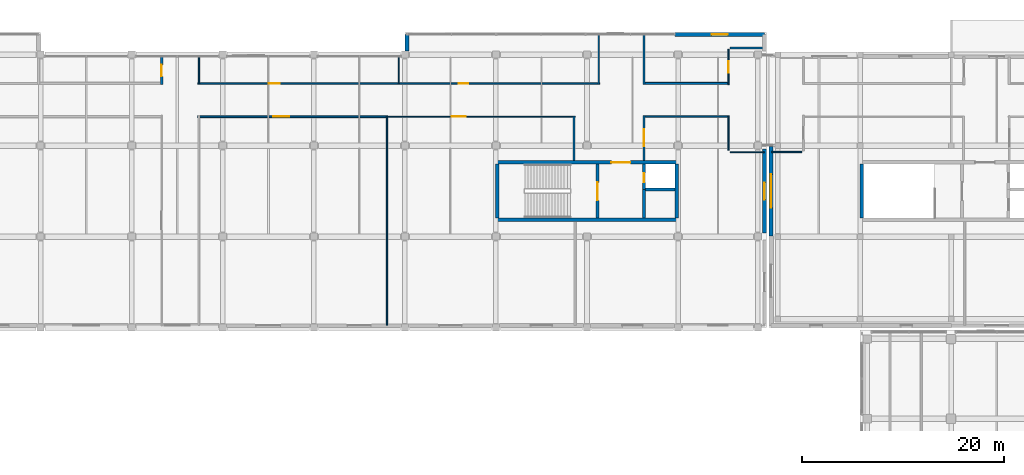
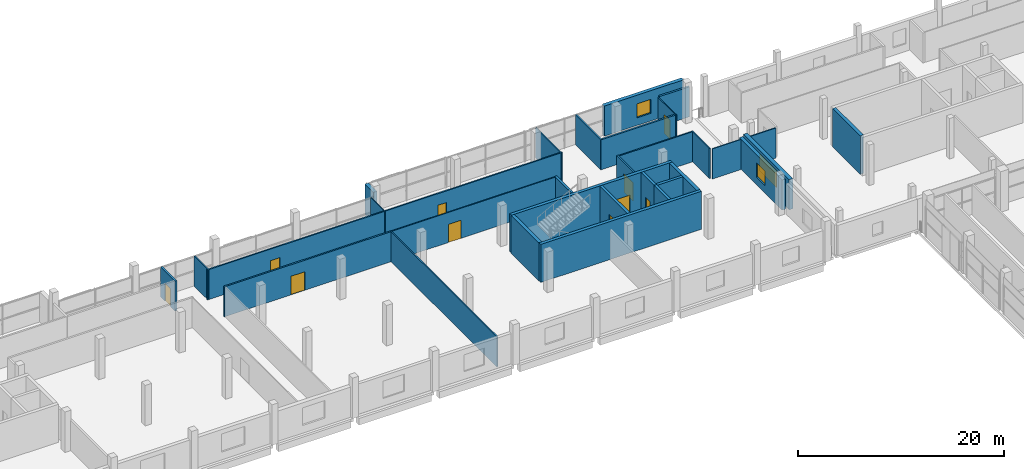
# One storey, part 84 of 111: 32 walls, 10 doors, 3 windows, 13 openings.
"""IFC4 building model written with IfcOpenShell, lengths in metres."""

from ifc_helpers import new_model, si_unit, direction, frame, frame_2d, origin, place, context, subcontext, project, spatial, rectangle, extrude, material, layer, layer_set, type_object, element, fill, save


model = new_model("IFC4")

# Units and contexts
model_context = context("Model", 3, precision=1e-05, world=origin(), true_north=direction((0.0, 1.0)))
body_context = subcontext(model_context, "Body", "Model", "MODEL_VIEW")
ifc_project = project(units=[si_unit("LENGTHUNIT", "METRE"), si_unit("AREAUNIT", "SQUARE_METRE"), si_unit("VOLUMEUNIT", "CUBIC_METRE"), si_unit("PLANEANGLEUNIT", "RADIAN"), si_unit("MASSUNIT", "GRAM", prefix="KILO"), si_unit("THERMODYNAMICTEMPERATUREUNIT", "KELVIN"), si_unit("POWERUNIT", "WATT")], contexts=[model_context])

# Site, building, storey
site_placement = place(None, origin())
site = spatial("IfcSite", under=ifc_project, at=site_placement, CompositionType="ELEMENT")
building_placement = place(site_placement, origin())
building = spatial("IfcBuilding", under=site, at=building_placement, Name="Sindhuravela Promenade Stadium", CompositionType="ELEMENT")
storey_placement = place(building_placement, frame((0.0, 0.0, 9.60009765625)))
storey = spatial("IfcBuildingStorey", under=building, at=storey_placement, Name="L02", CompositionType="ELEMENT", Elevation=9.60009765625)

# Wall, opening, window
ifc_material_1 = material(Name="Terracotta clay brick masonry (15 MPa)", Category="masonry")
ifc_layer_1 = layer(ifc_material_1, 0.360107421875)
ifc_layer_set_1 = layer_set([ifc_layer_1], Name="Terracotta clay brick masonry (15 MPa)")
wall_type_1 = type_object("IfcWallType", Name="EX-WL-BRK360", PredefinedType="SOLIDWALL", material=ifc_layer_set_1)
wall_1_placement = place(storey_placement, frame((161.550048828125, 143.64501953125, 0.0), z_axis=(0.0, 0.0, 1.0), x_axis=(0.0, -1.0, 0.0)))
wall_1 = element("IfcWall", 1, at=wall_1_placement, inside=storey, type_object=wall_type_1, Name="Exterior masonry wall EW05 NORTH L02", PredefinedType="SOLIDWALL", context=body_context, shape_type="SweptSolid", body=[
    extrude(rectangle(XDim=8.2900390625, YDim=0.360107421875, at=frame_2d((4.14501953125, 0.0))), origin(), (0.0, 0.0, 1.0), 3.579833984375),
])
opening_1_placement = place(wall_1_placement, frame((3.294921875, 0.0, 0.89990234375)))
opening_1 = element("IfcOpeningElement", 2, at=opening_1_placement, cuts=wall_1, Name="Opening W07", PredefinedType="OPENING", context=body_context, shape_type="SweptSolid", body=[
    extrude(rectangle(XDim=1.699951171875, YDim=1.699951171875, at=frame_2d((0.85009765625, 0.85009765625))), frame((0.0, 0.18994140625, 0.0), z_axis=(0.0, -1.0, 0.0), x_axis=(1.0, 0.0, 0.0)), (0.0, 0.0, 1.0), 0.380126953125),
])
ifc_material_2 = material(Name="Tempered laminated low-E glass", Category="glass")
window_type_1 = type_object("IfcWindowType", Name="WN-FAC-1700x1700", PartitioningType="SINGLE_PANEL", PredefinedType="WINDOW", material=ifc_material_2)
window_1_placement = place(opening_1_placement, origin())
window_1 = element("IfcWindow", 3, at=window_1_placement, inside=storey, type_object=window_type_1, Name="Window W07 NORTH L02", OverallHeight=1.699951171875, OverallWidth=1.699951171875, PartitioningType="SINGLE_PANEL", PredefinedType="WINDOW", context=body_context, shape_type="SweptSolid", body=[
    extrude(rectangle(XDim=1.699951171875, YDim=1.699951171875, at=frame_2d((0.85009765625, 0.85009765625))), frame((0.0, 0.030029296875, 0.0), z_axis=(0.0, -1.0, 0.0), x_axis=(1.0, 0.0, 0.0)), (0.0, 0.0, 1.0), 0.06005859375),
])
fill(opening_1, window_1)

ifc_layer_2 = layer(ifc_material_1, 0.39990234375)
ifc_layer_set_2 = layer_set([ifc_layer_2], Name="Terracotta clay brick masonry (15 MPa)")
wall_type_2 = type_object("IfcWallType", Name="EX-WL-BRK400", PredefinedType="SOLIDWALL", material=ifc_layer_set_2)
wall_2_placement = place(storey_placement, frame((152.71240234375, 155.0, 0.0), z_axis=(0.0, 0.0, 1.0), x_axis=(1.0, 0.0, 0.0)))
wall_2 = element("IfcWall", 4, at=wall_2_placement, inside=storey, type_object=wall_type_2, Name="Exterior masonry wall EW03 NORTH L02", PredefinedType="SOLIDWALL", context=body_context, shape_type="SweptSolid", body=[
    extrude(rectangle(XDim=8.837646484375, YDim=0.39990234375, at=frame_2d((4.4189453125, 0.0))), origin(), (0.0, 0.0, 1.0), 3.579833984375),
])
opening_2_placement = place(wall_2_placement, frame((3.618896484375, 0.0, 0.89990234375)))
opening_2 = element("IfcOpeningElement", 5, at=opening_2_placement, cuts=wall_2, Name="Opening W06", PredefinedType="OPENING", context=body_context, shape_type="SweptSolid", body=[
    extrude(rectangle(XDim=1.60009765625, YDim=1.64990234375, at=frame_2d((0.800048828125, 0.824951171875))), frame((0.0, 0.2099609375, 0.0), z_axis=(0.0, -1.0, 0.0), x_axis=(1.0, 0.0, 0.0)), (0.0, 0.0, 1.0), 0.419921875),
])
window_type_2 = type_object("IfcWindowType", Name="WN-FAC-1600x1650", PartitioningType="SINGLE_PANEL", PredefinedType="WINDOW", material=ifc_material_2)
window_2_placement = place(opening_2_placement, origin())
window_2 = element("IfcWindow", 6, at=window_2_placement, inside=storey, type_object=window_type_2, Name="Window W06 NORTH L02", OverallHeight=1.64990234375, OverallWidth=1.60009765625, PartitioningType="SINGLE_PANEL", PredefinedType="WINDOW", context=body_context, shape_type="SweptSolid", body=[
    extrude(rectangle(XDim=1.60009765625, YDim=1.64990234375, at=frame_2d((0.800048828125, 0.824951171875))), frame((0.0, 0.030029296875, 0.0), z_axis=(0.0, -1.0, 0.0), x_axis=(1.0, 0.0, 0.0)), (0.0, 0.0, 1.0), 0.06005859375),
])
fill(opening_2, window_2)

# Wall
ifc_layer_3 = layer(ifc_material_1, 0.419921875)
ifc_layer_set_3 = layer_set([ifc_layer_3], Name="Terracotta clay brick masonry (15 MPa)")
wall_type_3 = type_object("IfcWallType", Name="EX-WL-BRK420", PredefinedType="SOLIDWALL", material=ifc_layer_set_3)
wall_3_placement = place(storey_placement, frame((126.199951171875, 153.35498046875, 0.0), z_axis=(0.0, 0.0, 1.0), x_axis=(0.0, 1.0, 0.0)))
element("IfcWall", 7, at=wall_3_placement, inside=storey, type_object=wall_type_3, Name="Exterior masonry wall EW02 NORTH L02", PredefinedType="SOLIDWALL", context=body_context, shape_type="SweptSolid", body=[
    extrude(rectangle(XDim=1.64501953125, YDim=0.419921875, at=frame_2d((0.822509765625, 0.0))), origin(), (0.0, 0.0, 1.0), 3.579833984375),
])

# Wall, opening, window
wall_4_placement = place(storey_placement, frame((162.199951171875, 135.066650390625, 0.0), z_axis=(0.0, 0.0, 1.0), x_axis=(0.0, 1.0, 0.0)))
wall_4 = element("IfcWall", 8, at=wall_4_placement, inside=storey, type_object=wall_type_3, Name="Exterior masonry wall EW02 Pavilion NE L02", PredefinedType="SOLIDWALL", context=body_context, shape_type="SweptSolid", body=[
    extrude(rectangle(XDim=8.86669921875, YDim=0.419921875, at=frame_2d((4.433349609375, 0.0))), origin(), (0.0, 0.0, 1.0), 3.579833984375),
])
opening_3_placement = place(wall_4_placement, frame((2.783203125, 0.0, 0.89990234375)))
opening_3 = element("IfcOpeningElement", 9, at=opening_3_placement, cuts=wall_4, Name="Opening W23", PredefinedType="OPENING", context=body_context, shape_type="SweptSolid", body=[
    extrude(rectangle(XDim=3.300048828125, YDim=2.0, at=frame_2d((1.64990234375, 1.0))), frame((0.0, 0.219970703125, 0.0), z_axis=(0.0, -1.0, 0.0), x_axis=(1.0, 0.0, 0.0)), (0.0, 0.0, 1.0), 0.43994140625),
])
window_type_3 = type_object("IfcWindowType", Name="WN-FAC-3300x2000", PartitioningType="DOUBLE_PANEL_VERTICAL", PredefinedType="WINDOW", material=ifc_material_2)
window_3_placement = place(opening_3_placement, origin())
window_3 = element("IfcWindow", 10, at=window_3_placement, inside=storey, type_object=window_type_3, Name="Window W23 Pavilion NE L02", OverallHeight=2.0, OverallWidth=3.300048828125, PartitioningType="DOUBLE_PANEL_VERTICAL", PredefinedType="WINDOW", context=body_context, shape_type="SweptSolid", body=[
    extrude(rectangle(XDim=3.300048828125, YDim=2.0, at=frame_2d((1.64990234375, 1.0))), frame((0.0, 0.030029296875, 0.0), z_axis=(0.0, -1.0, 0.0), x_axis=(1.0, 0.0, 0.0)), (0.0, 0.0, 1.0), 0.06005859375),
])
fill(opening_3, window_3)

# Wall, opening, door
ifc_material_3 = material(Name="Fire-rated gypsum partition board", Category="gypsum")
ifc_layer_4 = layer(ifc_material_3, 0.110107421875)
ifc_layer_set_4 = layer_set([ifc_layer_4], Name="Fire-rated gypsum partition board")
wall_type_4 = type_object("IfcWallType", Name="IN-WL-PAR110", PredefinedType="PARTITIONING", material=ifc_layer_set_4)
wall_5_placement = place(storey_placement, frame((142.833251953125, 146.860107421875, 0.0), z_axis=(0.0, 0.0, 1.0), x_axis=(-1.0, 0.0, 0.0)))
wall_5 = element("IfcWall", 11, at=wall_5_placement, inside=storey, type_object=wall_type_4, Name="Corridor partition IW06 North Concourse Food Court", PredefinedType="PARTITIONING", context=body_context, shape_type="SweptSolid", body=[
    extrude(rectangle(XDim=18.596435546875, YDim=0.110107421875, at=frame_2d((9.29833984375, 0.0))), origin(), (0.0, 0.0, 1.0), 3.559814453125),
])
opening_4_placement = place(wall_5_placement, frame((10.801025390625, 0.0, 0.0)))
opening_4 = element("IfcOpeningElement", 12, at=opening_4_placement, cuts=wall_5, Name="Opening ID03", PredefinedType="OPENING", context=body_context, shape_type="SweptSolid", body=[
    extrude(rectangle(XDim=1.39990234375, YDim=2.14990234375, at=frame_2d((0.699951171875, 1.074951171875))), frame((0.0, 0.06494140625, 0.0), z_axis=(0.0, -1.0, 0.0), x_axis=(1.0, 0.0, 0.0)), (0.0, 0.0, 1.0), 0.130126953125),
])
ifc_material_4 = material(Name="Architectural teak timber leaf", Category="wood")
door_type_1 = type_object("IfcDoorType", Name="DR-INT-1400x2150", OperationType="DOUBLE_DOOR_SINGLE_SWING", PredefinedType="DOOR", material=ifc_material_4)
door_1_placement = place(opening_4_placement, origin())
door_1 = element("IfcDoor", 13, at=door_1_placement, inside=storey, type_object=door_type_1, Name="North Concourse Food Court door", OperationType="DOUBLE_DOOR_SINGLE_SWING", OverallHeight=2.14990234375, OverallWidth=1.39990234375, PredefinedType="DOOR", context=body_context, shape_type="SweptSolid", body=[
    extrude(rectangle(XDim=1.39990234375, YDim=2.14990234375, at=frame_2d((0.699951171875, 1.074951171875))), frame((0.0, 0.02490234375, 0.0), z_axis=(0.0, -1.0, 0.0), x_axis=(1.0, 0.0, 0.0)), (0.0, 0.0, 1.0), 0.050048828125),
])
fill(opening_4, door_1)

# Walls
wall_6_placement = place(storey_placement, frame((158.14990234375, 143.360107421875, 0.0), z_axis=(0.0, 0.0, 1.0), x_axis=(1.0, 0.0, 0.0)))
element("IfcWall", 14, at=wall_6_placement, inside=storey, type_object=wall_type_4, Name="Interior partition IW06 NORTH L02", PredefinedType="PARTITIONING", context=body_context, shape_type="SweptSolid", body=[
    extrude(rectangle(XDim=3.360107421875, YDim=0.110107421875, at=frame_2d((1.68017578125, 0.0))), origin(), (0.0, 0.0, 1.0), 3.559814453125),
])
wall_7_placement = place(storey_placement, frame((125.39990234375, 150.06005859375, 0.0), z_axis=(0.0, 0.0, 1.0), x_axis=(0.0, 1.0, 0.0)))
element("IfcWall", 15, at=wall_7_placement, inside=storey, type_object=wall_type_4, Name="Interior partition IW06 NORTH L02", PredefinedType="PARTITIONING", context=body_context, shape_type="SweptSolid", body=[
    extrude(rectangle(XDim=2.70703125, YDim=0.110107421875, at=frame_2d((1.353515625, 0.0))), origin(), (0.0, 0.0, 1.0), 3.559814453125),
])

# Wall, opening, door
wall_8_placement = place(storey_placement, frame((157.989990234375, 150.02001953125, 0.0), z_axis=(0.0, 0.0, 1.0), x_axis=(0.0, 1.0, 0.0)))
wall_8 = element("IfcWall", 16, at=wall_8_placement, inside=storey, type_object=wall_type_4, Name="Corridor partition IW06 North Concourse Food Court 4", PredefinedType="PARTITIONING", context=body_context, shape_type="SweptSolid", body=[
    extrude(rectangle(XDim=3.5, YDim=0.110107421875, at=frame_2d((1.75, 0.0))), origin(), (0.0, 0.0, 1.0), 3.559814453125),
])
opening_5_placement = place(wall_8_placement, frame((1.18994140625, 0.0, 0.0)))
opening_5 = element("IfcOpeningElement", 17, at=opening_5_placement, cuts=wall_8, Name="Opening ID13", PredefinedType="OPENING", context=body_context, shape_type="SweptSolid", body=[
    extrude(rectangle(XDim=1.1201171875, YDim=2.219970703125, at=frame_2d((0.56005859375, 1.10986328125))), frame((0.0, 0.06494140625, 0.0), z_axis=(0.0, -1.0, 0.0), x_axis=(1.0, 0.0, 0.0)), (0.0, 0.0, 1.0), 0.130126953125),
])
door_type_2 = type_object("IfcDoorType", Name="DR-INT-1120x2220", OperationType="NOTDEFINED", PredefinedType="DOOR", material=ifc_material_4)
door_2_placement = place(opening_5_placement, origin())
door_2 = element("IfcDoor", 18, at=door_2_placement, inside=storey, type_object=door_type_2, Name="North Concourse Food Court 4 door", OperationType="SINGLE_SWING_RIGHT", OverallHeight=2.219970703125, OverallWidth=1.1201171875, PredefinedType="DOOR", context=body_context, shape_type="SweptSolid", body=[
    extrude(rectangle(XDim=1.1201171875, YDim=2.219970703125, at=frame_2d((0.56005859375, 1.10986328125))), frame((0.0, 0.02490234375, 0.0), z_axis=(0.0, -1.0, 0.0), x_axis=(1.0, 0.0, 0.0)), (0.0, 0.0, 1.0), 0.050048828125),
])
fill(opening_5, door_2)

# Walls
ifc_layer_5 = layer(ifc_material_3, 0.1298828125)
ifc_layer_set_5 = layer_set([ifc_layer_5], Name="Fire-rated gypsum partition board")
wall_type_5 = type_object("IfcWallType", Name="IN-WL-PAR130", PredefinedType="PARTITIONING", material=ifc_layer_set_5)
wall_9_placement = place(storey_placement, frame((124.23681640625, 146.93994140625, 0.0), z_axis=(0.0, 0.0, 1.0), x_axis=(0.0, -1.0, 0.0)))
element("IfcWall", 19, at=wall_9_placement, inside=storey, type_object=wall_type_5, Name="Interior partition IW05 NORTH L02", PredefinedType="PARTITIONING", context=body_context, shape_type="SweptSolid", body=[
    extrude(rectangle(XDim=20.699951171875, YDim=0.1298828125, at=frame_2d((10.35009765625, 0.0))), origin(), (0.0, 0.0, 1.0), 3.559814453125),
])
wall_10_placement = place(storey_placement, frame((157.989990234375, 146.93994140625, 0.0), z_axis=(0.0, 0.0, 1.0), x_axis=(0.0, -1.0, 0.0)))
element("IfcWall", 20, at=wall_10_placement, inside=storey, type_object=wall_type_5, Name="Interior partition IW05 NORTH L02", PredefinedType="PARTITIONING", context=body_context, shape_type="SweptSolid", body=[
    extrude(rectangle(XDim=3.419921875, YDim=0.1298828125, at=frame_2d((1.7099609375, 0.0))), origin(), (0.0, 0.0, 1.0), 3.559814453125),
])
wall_11_placement = place(storey_placement, frame((145.159912109375, 154.967041015625, 0.0), z_axis=(0.0, 0.0, 1.0), x_axis=(0.0, -1.0, 0.0)))
element("IfcWall", 21, at=wall_11_placement, inside=storey, type_object=wall_type_5, Name="Interior partition IW05 NORTH L02", PredefinedType="PARTITIONING", context=body_context, shape_type="SweptSolid", body=[
    extrude(rectangle(XDim=4.906982421875, YDim=0.1298828125, at=frame_2d((2.45361328125, 0.0))), origin(), (0.0, 0.0, 1.0), 3.559814453125),
])
wall_12_placement = place(storey_placement, frame((105.639892578125, 150.06005859375, 0.0), z_axis=(0.0, 0.0, 1.0), x_axis=(0.0, 1.0, 0.0)))
element("IfcWall", 22, at=wall_12_placement, inside=storey, type_object=wall_type_5, Name="Interior partition IW05 NORTH L02", PredefinedType="PARTITIONING", context=body_context, shape_type="SweptSolid", body=[
    extrude(rectangle(XDim=2.70703125, YDim=0.1298828125, at=frame_2d((1.353515625, 0.0))), origin(), (0.0, 0.0, 1.0), 3.559814453125),
])
wall_13_placement = place(storey_placement, frame((162.239990234375, 143.360107421875, 0.0), z_axis=(0.0, 0.0, 1.0), x_axis=(1.0, 0.0, 0.0)))
element("IfcWall", 23, at=wall_13_placement, inside=storey, type_object=wall_type_5, Name="Interior partition IW05 Pavilion NE L02", PredefinedType="PARTITIONING", context=body_context, shape_type="SweptSolid", body=[
    extrude(rectangle(XDim=3.010009765625, YDim=0.1298828125, at=frame_2d((1.5048828125, 0.0))), origin(), (0.0, 0.0, 1.0), 3.559814453125),
])
ifc_layer_6 = layer(ifc_material_3, 0.14990234375)
ifc_layer_set_6 = layer_set([ifc_layer_6], Name="Fire-rated gypsum partition board")
wall_type_6 = type_object("IfcWallType", Name="IN-WL-PAR150", PredefinedType="PARTITIONING", material=ifc_layer_set_6)
wall_14_placement = place(storey_placement, frame((149.56005859375, 146.860107421875, 0.0), z_axis=(0.0, 0.0, 1.0), x_axis=(1.0, 0.0, 0.0)))
element("IfcWall", 24, at=wall_14_placement, inside=storey, type_object=wall_type_6, Name="Interior partition IW04 NORTH L02", PredefinedType="PARTITIONING", context=body_context, shape_type="SweptSolid", body=[
    extrude(rectangle(XDim=8.510009765625, YDim=0.14990234375, at=frame_2d((4.2548828125, 0.0))), origin(), (0.0, 0.0, 1.0), 3.559814453125),
])

# Wall, opening, door
wall_15_placement = place(storey_placement, frame((125.39990234375, 150.139892578125, 0.0), z_axis=(0.0, 0.0, 1.0), x_axis=(1.0, 0.0, 0.0)))
wall_15 = element("IfcWall", 25, at=wall_15_placement, inside=storey, type_object=wall_type_6, Name="Corridor partition IW04 Public Toilet Block North L02", PredefinedType="PARTITIONING", context=body_context, shape_type="SweptSolid", body=[
    extrude(rectangle(XDim=19.880126953125, YDim=0.14990234375, at=frame_2d((9.93994140625, 0.0))), origin(), (0.0, 0.0, 1.0), 3.559814453125),
])
opening_6_placement = place(wall_15_placement, frame((5.9296875, 0.0, 0.0)))
opening_6 = element("IfcOpeningElement", 26, at=opening_6_placement, cuts=wall_15, Name="Opening ID10", PredefinedType="OPENING", context=body_context, shape_type="SweptSolid", body=[
    extrude(rectangle(XDim=0.949951171875, YDim=2.179931640625, at=frame_2d((0.47509765625, 1.08984375))), frame((0.0, 0.0849609375, 0.0), z_axis=(0.0, -1.0, 0.0), x_axis=(1.0, 0.0, 0.0)), (0.0, 0.0, 1.0), 0.169921875),
])
door_type_3 = type_object("IfcDoorType", Name="DR-INT-950x2180", OperationType="NOTDEFINED", PredefinedType="DOOR", material=ifc_material_4)
door_3_placement = place(opening_6_placement, origin())
door_3 = element("IfcDoor", 27, at=door_3_placement, inside=storey, type_object=door_type_3, Name="Public Toilet Block North L02 door", OperationType="SINGLE_SWING_LEFT", OverallHeight=2.179931640625, OverallWidth=0.949951171875, PredefinedType="DOOR", context=body_context, shape_type="SweptSolid", body=[
    extrude(rectangle(XDim=0.949951171875, YDim=2.179931640625, at=frame_2d((0.47509765625, 1.08984375))), frame((0.0, 0.02490234375, 0.0), z_axis=(0.0, -1.0, 0.0), x_axis=(1.0, 0.0, 0.0)), (0.0, 0.0, 1.0), 0.050048828125),
])
fill(opening_6, door_3)

wall_16_placement = place(storey_placement, frame((105.52001953125, 150.139892578125, 0.0), z_axis=(0.0, 0.0, 1.0), x_axis=(1.0, 0.0, 0.0)))
wall_16 = element("IfcWall", 28, at=wall_16_placement, inside=storey, type_object=wall_type_6, Name="Corridor partition IW04 Supporters Viewing Lounge North 3", PredefinedType="PARTITIONING", context=body_context, shape_type="SweptSolid", body=[
    extrude(rectangle(XDim=19.8798828125, YDim=0.14990234375, at=frame_2d((9.93994140625, 0.0))), origin(), (0.0, 0.0, 1.0), 3.559814453125),
])
opening_7_placement = place(wall_16_placement, frame((7.043212890625, 0.0, 0.0)))
opening_7 = element("IfcOpeningElement", 29, at=opening_7_placement, cuts=wall_16, Name="Opening ID12", PredefinedType="OPENING", context=body_context, shape_type="SweptSolid", body=[
    extrude(rectangle(XDim=1.080078125, YDim=2.179931640625, at=frame_2d((0.5400390625, 1.08984375))), frame((0.0, 0.0849609375, 0.0), z_axis=(0.0, -1.0, 0.0), x_axis=(1.0, 0.0, 0.0)), (0.0, 0.0, 1.0), 0.169921875),
])
door_type_4 = type_object("IfcDoorType", Name="DR-INT-1080x2180", OperationType="NOTDEFINED", PredefinedType="DOOR", material=ifc_material_4)
door_4_placement = place(opening_7_placement, origin())
door_4 = element("IfcDoor", 30, at=door_4_placement, inside=storey, type_object=door_type_4, Name="Supporters Viewing Lounge North 3 door", OperationType="SINGLE_SWING_LEFT", OverallHeight=2.179931640625, OverallWidth=1.080078125, PredefinedType="DOOR", context=body_context, shape_type="SweptSolid", body=[
    extrude(rectangle(XDim=1.080078125, YDim=2.179931640625, at=frame_2d((0.5400390625, 1.08984375))), frame((0.0, 0.02490234375, 0.0), z_axis=(0.0, -1.0, 0.0), x_axis=(1.0, 0.0, 0.0)), (0.0, 0.0, 1.0), 0.050048828125),
])
fill(opening_7, door_4)

ifc_layer_7 = layer(ifc_material_3, 0.175048828125)
ifc_layer_set_7 = layer_set([ifc_layer_7], Name="Fire-rated gypsum partition board")
wall_type_7 = type_object("IfcWallType", Name="IN-WL-PAR175", PredefinedType="PARTITIONING", material=ifc_layer_set_7)
wall_17_placement = place(storey_placement, frame((124.23681640625, 146.860107421875, 0.0), z_axis=(0.0, 0.0, 1.0), x_axis=(-1.0, 0.0, 0.0)))
wall_17 = element("IfcWall", 31, at=wall_17_placement, inside=storey, type_object=wall_type_7, Name="Corridor partition IW03 Supporters Viewing Lounge North", PredefinedType="PARTITIONING", context=body_context, shape_type="SweptSolid", body=[
    extrude(rectangle(XDim=18.716796875, YDim=0.175048828125, at=frame_2d((9.3583984375, 0.0))), origin(), (0.0, 0.0, 1.0), 3.559814453125),
])
opening_8_placement = place(wall_17_placement, frame((9.69189453125, 0.0, 0.0)))
opening_8 = element("IfcOpeningElement", 32, at=opening_8_placement, cuts=wall_17, Name="Opening ID02", PredefinedType="OPENING", context=body_context, shape_type="SweptSolid", body=[
    extrude(rectangle(XDim=1.550048828125, YDim=2.199951171875, at=frame_2d((0.77490234375, 1.10009765625))), frame((0.0, 0.097412109375, 0.0), z_axis=(0.0, -1.0, 0.0), x_axis=(1.0, 0.0, 0.0)), (0.0, 0.0, 1.0), 0.195068359375),
])
door_type_5 = type_object("IfcDoorType", Name="DR-INT-1550x2200", OperationType="DOUBLE_DOOR_SINGLE_SWING", PredefinedType="DOOR", material=ifc_material_4)
door_5_placement = place(opening_8_placement, origin())
door_5 = element("IfcDoor", 33, at=door_5_placement, inside=storey, type_object=door_type_5, Name="Supporters Viewing Lounge North door", OperationType="DOUBLE_DOOR_SINGLE_SWING", OverallHeight=2.199951171875, OverallWidth=1.550048828125, PredefinedType="DOOR", context=body_context, shape_type="SweptSolid", body=[
    extrude(rectangle(XDim=1.550048828125, YDim=2.199951171875, at=frame_2d((0.77490234375, 1.10009765625))), frame((0.0, 0.02490234375, 0.0), z_axis=(0.0, -1.0, 0.0), x_axis=(1.0, 0.0, 0.0)), (0.0, 0.0, 1.0), 0.050048828125),
])
fill(opening_8, door_5)

wall_18_placement = place(storey_placement, frame((149.639892578125, 146.97998046875, 0.0), z_axis=(0.0, 0.0, 1.0), x_axis=(0.0, -1.0, 0.0)))
wall_18 = element("IfcWall", 34, at=wall_18_placement, inside=storey, type_object=wall_type_7, Name="Corridor partition IW03 Youth Supporters Activity Hall", PredefinedType="PARTITIONING", context=body_context, shape_type="SweptSolid", body=[
    extrude(rectangle(XDim=4.452880859375, YDim=0.175048828125, at=frame_2d((2.2265625, 0.0))), origin(), (0.0, 0.0, 1.0), 3.559814453125),
])
opening_9_placement = place(wall_18_placement, frame((1.35009765625, 0.0, 0.0)))
opening_9 = element("IfcOpeningElement", 35, at=opening_9_placement, cuts=wall_18, Name="Opening ID01", PredefinedType="OPENING", context=body_context, shape_type="SweptSolid", body=[
    extrude(rectangle(XDim=1.699951171875, YDim=2.199951171875, at=frame_2d((0.85009765625, 1.10009765625))), frame((0.0, 0.097412109375, 0.0), z_axis=(0.0, -1.0, 0.0), x_axis=(1.0, 0.0, 0.0)), (0.0, 0.0, 1.0), 0.195068359375),
])
door_type_6 = type_object("IfcDoorType", Name="DR-INT-1700x2200", OperationType="DOUBLE_DOOR_SINGLE_SWING", PredefinedType="DOOR", material=ifc_material_4)
door_6_placement = place(opening_9_placement, origin())
door_6 = element("IfcDoor", 36, at=door_6_placement, inside=storey, type_object=door_type_6, Name="Youth Supporters Activity Hall door", OperationType="DOUBLE_DOOR_SINGLE_SWING", OverallHeight=2.199951171875, OverallWidth=1.699951171875, PredefinedType="DOOR", context=body_context, shape_type="SweptSolid", body=[
    extrude(rectangle(XDim=1.699951171875, YDim=2.199951171875, at=frame_2d((0.85009765625, 1.10009765625))), frame((0.0, 0.02490234375, 0.0), z_axis=(0.0, -1.0, 0.0), x_axis=(1.0, 0.0, 0.0)), (0.0, 0.0, 1.0), 0.050048828125),
])
fill(opening_9, door_6)

# Walls
wall_19_placement = place(storey_placement, frame((149.639892578125, 150.06005859375, 0.0), z_axis=(0.0, 0.0, 1.0), x_axis=(0.0, 1.0, 0.0)))
element("IfcWall", 37, at=wall_19_placement, inside=storey, type_object=wall_type_7, Name="Interior partition IW03 NORTH L02", PredefinedType="PARTITIONING", context=body_context, shape_type="SweptSolid", body=[
    extrude(rectangle(XDim=4.906982421875, YDim=0.175048828125, at=frame_2d((2.45361328125, 0.0))), origin(), (0.0, 0.0, 1.0), 3.559814453125),
])
ifc_layer_8 = layer(ifc_material_3, 0.195068359375)
ifc_layer_set_8 = layer_set([ifc_layer_8], Name="Fire-rated gypsum partition board")
wall_type_8 = type_object("IfcWallType", Name="IN-WL-PAR195", PredefinedType="PARTITIONING", material=ifc_layer_set_8)
wall_20_placement = place(storey_placement, frame((158.070068359375, 150.139892578125, 0.0), z_axis=(0.0, 0.0, 1.0), x_axis=(-1.0, 0.0, 0.0)))
element("IfcWall", 38, at=wall_20_placement, inside=storey, type_object=wall_type_8, Name="Interior partition IW02 NORTH L02", PredefinedType="PARTITIONING", context=body_context, shape_type="SweptSolid", body=[
    extrude(rectangle(XDim=8.510009765625, YDim=0.195068359375, at=frame_2d((4.2548828125, 0.0))), origin(), (0.0, 0.0, 1.0), 3.559814453125),
])
ifc_layer_9 = layer(ifc_material_3, 0.219970703125)
ifc_layer_set_9 = layer_set([ifc_layer_9], Name="Fire-rated gypsum partition board")
wall_type_9 = type_object("IfcWallType", Name="IN-WL-PAR220", PredefinedType="PARTITIONING", material=ifc_layer_set_9)
wall_21_placement = place(storey_placement, frame((142.71337890625, 146.93994140625, 0.0), z_axis=(0.0, 0.0, 1.0), x_axis=(0.0, -1.0, 0.0)))
element("IfcWall", 39, at=wall_21_placement, inside=storey, type_object=wall_type_9, Name="Interior partition IW01 NORTH L02", PredefinedType="PARTITIONING", context=body_context, shape_type="SweptSolid", body=[
    extrude(rectangle(XDim=4.412841796875, YDim=0.219970703125, at=frame_2d((2.20654296875, 0.0))), origin(), (0.0, 0.0, 1.0), 3.559814453125),
])
wall_22_placement = place(storey_placement, frame((161.510009765625, 153.639892578125, 0.0), z_axis=(0.0, 0.0, 1.0), x_axis=(-1.0, 0.0, 0.0)))
element("IfcWall", 40, at=wall_22_placement, inside=storey, type_object=wall_type_9, Name="Interior partition IW01 NORTH L02", PredefinedType="PARTITIONING", context=body_context, shape_type="SweptSolid", body=[
    extrude(rectangle(XDim=3.360107421875, YDim=0.219970703125, at=frame_2d((1.68017578125, 0.0))), origin(), (0.0, 0.0, 1.0), 3.559814453125),
])

# Wall, opening, door
wall_23_placement = place(storey_placement, frame((101.9599609375, 150.02001953125, 0.0), z_axis=(0.0, 0.0, 1.0), x_axis=(0.0, 1.0, 0.0)))
wall_23 = element("IfcWall", 41, at=wall_23_placement, inside=storey, type_object=wall_type_9, Name="Corridor partition IW01 Accessible WC North L02 6", PredefinedType="PARTITIONING", context=body_context, shape_type="SweptSolid", body=[
    extrude(rectangle(XDim=2.780029296875, YDim=0.219970703125, at=frame_2d((1.39013671875, 0.0))), origin(), (0.0, 0.0, 1.0), 3.559814453125),
])
opening_10_placement = place(wall_23_placement, frame((0.81494140625, 0.0, 0.0)))
opening_10 = element("IfcOpeningElement", 42, at=opening_10_placement, cuts=wall_23, Name="Opening ID05", PredefinedType="OPENING", context=body_context, shape_type="SweptSolid", body=[
    extrude(rectangle(XDim=1.14990234375, YDim=2.14990234375, at=frame_2d((0.574951171875, 1.074951171875))), frame((0.0, 0.119873046875, 0.0), z_axis=(0.0, -1.0, 0.0), x_axis=(1.0, 0.0, 0.0)), (0.0, 0.0, 1.0), 0.239990234375),
])
door_type_7 = type_object("IfcDoorType", Name="DR-INT-1150x2150", OperationType="NOTDEFINED", PredefinedType="DOOR", material=ifc_material_4)
door_7_placement = place(opening_10_placement, origin())
door_7 = element("IfcDoor", 43, at=door_7_placement, inside=storey, type_object=door_type_7, Name="Accessible WC North L02 6 door", OperationType="SINGLE_SWING_RIGHT", OverallHeight=2.14990234375, OverallWidth=1.14990234375, PredefinedType="DOOR", context=body_context, shape_type="SweptSolid", body=[
    extrude(rectangle(XDim=1.14990234375, YDim=2.14990234375, at=frame_2d((0.574951171875, 1.074951171875))), frame((0.0, 0.02490234375, 0.0), z_axis=(0.0, -1.0, 0.0), x_axis=(1.0, 0.0, 0.0)), (0.0, 0.0, 1.0), 0.050048828125),
])
fill(opening_10, door_7)

ifc_material_5 = material(Name="Concrete M50", Category="concrete")
ifc_layer_10 = layer(ifc_material_5, 0.300048828125)
ifc_layer_set_10 = layer_set([ifc_layer_10], Name="Concrete M50")
wall_type_10 = type_object("IfcWallType", Name="RC-SW-300", PredefinedType="SHEAR", material=ifc_layer_set_10)
wall_24_placement = place(storey_placement, frame((145.050048828125, 136.824951171875, 0.0), z_axis=(0.0, 0.0, 1.0), x_axis=(0.0, 1.0, 0.0)))
wall_24 = element("IfcWall", 44, at=wall_24_placement, inside=storey, type_object=wall_type_10, Name="Core shear wall C10-ST (L02)", PredefinedType="SHEAR", context=body_context, shape_type="SweptSolid", body=[
    extrude(rectangle(XDim=5.35009765625, YDim=0.300048828125, at=frame_2d((2.675048828125, 0.0))), origin(), (0.0, 0.0, 1.0), 4.5),
])
opening_11_placement = place(wall_24_placement, frame((1.75, 0.0, 0.0)))
opening_11 = element("IfcOpeningElement", 45, at=opening_11_placement, cuts=wall_24, Name="Opening FD01", PredefinedType="OPENING", context=body_context, shape_type="SweptSolid", body=[
    extrude(rectangle(XDim=1.800048828125, YDim=2.25, at=frame_2d((0.89990234375, 1.125))), frame((0.0, 0.159912109375, 0.0), z_axis=(0.0, -1.0, 0.0), x_axis=(1.0, 0.0, 0.0)), (0.0, 0.0, 1.0), 0.320068359375),
])
ifc_material_6 = material(Name="Architectural wrought steel E350", Category="steel")
door_type_8 = type_object("IfcDoorType", Name="DR-CORE-1800x2250", OperationType="DOUBLE_DOOR_SINGLE_SWING", PredefinedType="DOOR", material=ifc_material_6)
door_8_placement = place(opening_11_placement, origin())
door_8 = element("IfcDoor", 46, at=door_8_placement, inside=storey, type_object=door_type_8, Name="Stair ST10 lobby fire door (L02)", OperationType="DOUBLE_DOOR_SINGLE_SWING", OverallHeight=2.25, OverallWidth=1.800048828125, PredefinedType="DOOR", context=body_context, shape_type="SweptSolid", body=[
    extrude(rectangle(XDim=1.800048828125, YDim=2.25, at=frame_2d((0.89990234375, 1.125))), frame((0.0, 0.02490234375, 0.0), z_axis=(0.0, -1.0, 0.0), x_axis=(1.0, 0.0, 0.0)), (0.0, 0.0, 1.0), 0.050048828125),
])
fill(opening_11, door_8)

# Wall
wall_25_placement = place(storey_placement, frame((149.64990234375, 136.824951171875, 0.0), z_axis=(0.0, 0.0, 1.0), x_axis=(0.0, 1.0, 0.0)))
element("IfcWall", 47, at=wall_25_placement, inside=storey, type_object=wall_type_10, Name="Core shear wall C10-LFT (L02)", PredefinedType="SHEAR", context=body_context, shape_type="SweptSolid", body=[
    extrude(rectangle(XDim=2.824951171875, YDim=0.300048828125, at=frame_2d((1.41259765625, 0.0))), origin(), (0.0, 0.0, 1.0), 4.5),
])

# Wall, opening, door
wall_26_placement = place(storey_placement, frame((149.64990234375, 139.64990234375, 0.0), z_axis=(0.0, 0.0, 1.0), x_axis=(0.0, 1.0, 0.0)))
wall_26 = element("IfcWall", 48, at=wall_26_placement, inside=storey, type_object=wall_type_10, Name="Core shear wall C10-RSR (L02)", PredefinedType="SHEAR", context=body_context, shape_type="SweptSolid", body=[
    extrude(rectangle(XDim=2.525146484375, YDim=0.300048828125, at=frame_2d((1.2626953125, 0.0))), origin(), (0.0, 0.0, 1.0), 4.5),
])
opening_12_placement = place(wall_26_placement, frame((0.72509765625, 0.0, 0.0)))
opening_12 = element("IfcOpeningElement", 49, at=opening_12_placement, cuts=wall_26, Name="Opening FD03", PredefinedType="OPENING", context=body_context, shape_type="SweptSolid", body=[
    extrude(rectangle(XDim=0.89990234375, YDim=2.10009765625, at=frame_2d((0.449951171875, 1.050048828125))), frame((0.0, 0.159912109375, 0.0), z_axis=(0.0, -1.0, 0.0), x_axis=(1.0, 0.0, 0.0)), (0.0, 0.0, 1.0), 0.320068359375),
])
door_type_9 = type_object("IfcDoorType", Name="DR-RSR-900x2100", OperationType="NOTDEFINED", PredefinedType="DOOR", material=ifc_material_6)
door_9_placement = place(opening_12_placement, origin())
door_9 = element("IfcDoor", 50, at=door_9_placement, inside=storey, type_object=door_type_9, Name="Riser shaft access door C10 (L02)", OperationType="SINGLE_SWING_LEFT", OverallHeight=2.10009765625, OverallWidth=0.89990234375, PredefinedType="DOOR", context=body_context, shape_type="SweptSolid", body=[
    extrude(rectangle(XDim=0.89990234375, YDim=2.10009765625, at=frame_2d((0.449951171875, 1.050048828125))), frame((0.0, 0.02490234375, 0.0), z_axis=(0.0, -1.0, 0.0), x_axis=(1.0, 0.0, 0.0)), (0.0, 0.0, 1.0), 0.050048828125),
])
fill(opening_12, door_9)

# Walls
wall_27_placement = place(storey_placement, frame((149.800048828125, 139.64990234375, 0.0), z_axis=(0.0, 0.0, 1.0), x_axis=(1.0, 0.0, 0.0)))
element("IfcWall", 51, at=wall_27_placement, inside=storey, type_object=wall_type_10, Name="Core shear wall C10-DIV (L02)", PredefinedType="SHEAR", context=body_context, shape_type="SweptSolid", body=[
    extrude(rectangle(XDim=2.875, YDim=0.300048828125, at=frame_2d((1.4375, 0.0))), origin(), (0.0, 0.0, 1.0), 4.5),
])
ifc_layer_11 = layer(ifc_material_5, 0.35009765625)
ifc_layer_set_11 = layer_set([ifc_layer_11], Name="Concrete M50")
wall_type_11 = type_object("IfcWallType", Name="RC-SW-350", PredefinedType="SHEAR", material=ifc_layer_set_11)
wall_28_placement = place(storey_placement, frame((135.0, 136.64990234375, 0.0), z_axis=(0.0, 0.0, 1.0), x_axis=(1.0, 0.0, 0.0)))
element("IfcWall", 52, at=wall_28_placement, inside=storey, type_object=wall_type_11, Name="Core shear wall C10-S (L02)", PredefinedType="SHEAR", context=body_context, shape_type="SweptSolid", body=[
    extrude(rectangle(XDim=18.0, YDim=0.35009765625, at=frame_2d((9.0, 0.0))), origin(), (0.0, 0.0, 1.0), 4.5),
])

# Wall, opening, door
wall_29_placement = place(storey_placement, frame((153.0, 142.35009765625, 0.0), z_axis=(0.0, 0.0, 1.0), x_axis=(-1.0, 0.0, 0.0)))
wall_29 = element("IfcWall", 53, at=wall_29_placement, inside=storey, type_object=wall_type_11, Name="Core shear wall C10-N (L02)", PredefinedType="SHEAR", context=body_context, shape_type="SweptSolid", body=[
    extrude(rectangle(XDim=18.0, YDim=0.35009765625, at=frame_2d((9.0, 0.0))), origin(), (0.0, 0.0, 1.0), 4.5),
])
opening_13_placement = place(wall_29_placement, frame((4.699951171875, 0.0, 0.0)))
opening_13 = element("IfcOpeningElement", 54, at=opening_13_placement, cuts=wall_29, Name="Opening FD02", PredefinedType="OPENING", context=body_context, shape_type="SweptSolid", body=[
    extrude(rectangle(XDim=1.89990234375, YDim=2.25, at=frame_2d((0.949951171875, 1.125))), frame((0.0, 0.18505859375, 0.0), z_axis=(0.0, -1.0, 0.0), x_axis=(1.0, 0.0, 0.0)), (0.0, 0.0, 1.0), 0.3701171875),
])
door_type_10 = type_object("IfcDoorType", Name="DR-LOB-1900x2250", OperationType="DOUBLE_DOOR_SINGLE_SWING", PredefinedType="DOOR", material=ifc_material_6)
door_10_placement = place(opening_13_placement, origin())
door_10 = element("IfcDoor", 55, at=door_10_placement, inside=storey, type_object=door_type_10, Name="Protected lobby entrance door C10 (L02)", OperationType="DOUBLE_DOOR_SINGLE_SWING", OverallHeight=2.25, OverallWidth=1.89990234375, PredefinedType="DOOR", context=body_context, shape_type="SweptSolid", body=[
    extrude(rectangle(XDim=1.89990234375, YDim=2.25, at=frame_2d((0.949951171875, 1.125))), frame((0.0, 0.02490234375, 0.0), z_axis=(0.0, -1.0, 0.0), x_axis=(1.0, 0.0, 0.0)), (0.0, 0.0, 1.0), 0.050048828125),
])
fill(opening_13, door_10)

# Walls
for number, where, z_axis, x_axis, name in (
    (56, (135.14990234375, 142.175048828125, 0.0), (0.0, 0.0, 1.0), (0.0, -1.0, 0.0), "Core shear wall C10-W (L02)"),
    (57, (152.85009765625, 136.824951171875, 0.0), (0.0, 0.0, 1.0), (0.0, 1.0, 0.0), "Core shear wall C10-E (L02)"),
):
    element("IfcWall", number, at=place(storey_placement, frame(where, z_axis=z_axis, x_axis=x_axis)), inside=storey, type_object=wall_type_11, Name=name, PredefinedType="SHEAR", context=body_context, shape_type="SweptSolid", body=[
        extrude(rectangle(XDim=5.35009765625, YDim=0.35009765625, at=frame_2d((2.675048828125, 0.0))), origin(), (0.0, 0.0, 1.0), 4.5),
    ])
wall_30_placement = place(storey_placement, frame((171.14990234375, 142.175048828125, 0.0), z_axis=(0.0, 0.0, 1.0), x_axis=(0.0, -1.0, 0.0)))
element("IfcWall", 58, at=wall_30_placement, inside=storey, type_object=wall_type_11, Name="Core shear wall C16-W (L02)", PredefinedType="SHEAR", context=body_context, shape_type="SweptSolid", body=[
    extrude(rectangle(XDim=5.35009765625, YDim=0.35009765625, at=frame_2d((2.675048828125, 0.0))), origin(), (0.0, 0.0, 1.0), 4.554931640625),
])

save(model, "model.ifc")
